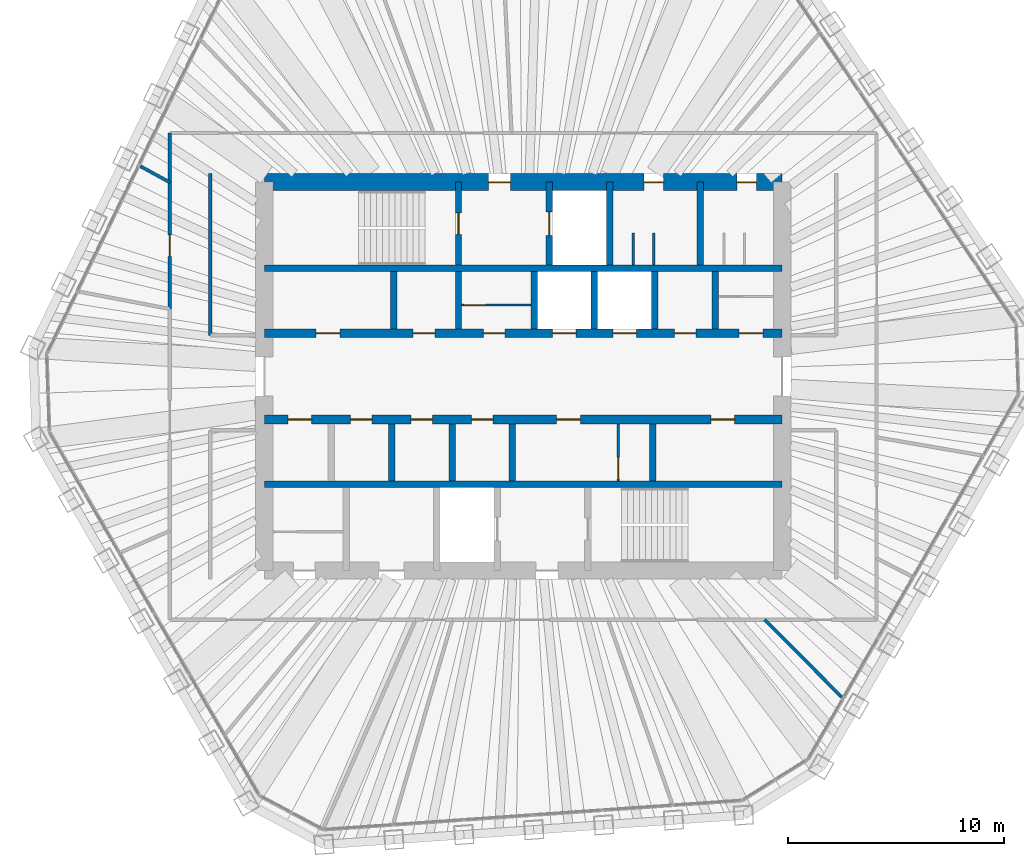
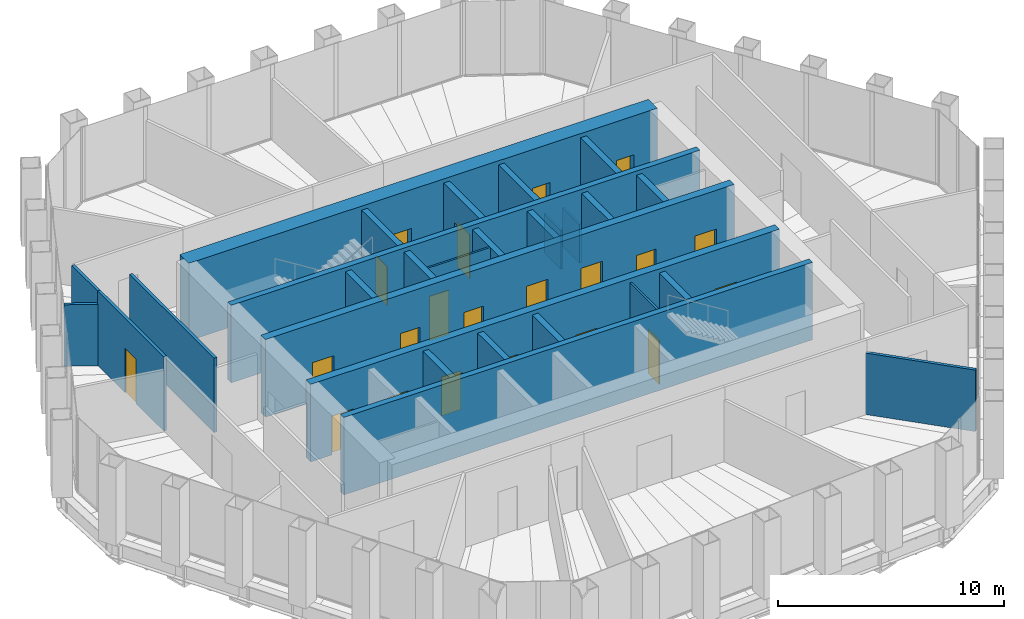
# One storey, part 12 of 14: 28 walls, 21 doors, 21 openings.
"""IFC4 building model written with IfcOpenShell, lengths in metres."""

from ifc_helpers import new_model, si_unit, direction, frame, frame_2d, origin, place, context, subcontext, project, spatial, rectangle, extrude, material, layer, layer_set, type_object, element, fill, save


model = new_model("IFC4")

# Units and contexts
model_context = context("Model", 3, precision=1e-05, world=origin(), true_north=direction((0.0, 1.0)))
body_context = subcontext(model_context, "Body", "Model", "MODEL_VIEW")
ifc_project = project(units=[si_unit("LENGTHUNIT", "METRE"), si_unit("AREAUNIT", "SQUARE_METRE"), si_unit("VOLUMEUNIT", "CUBIC_METRE"), si_unit("PLANEANGLEUNIT", "RADIAN"), si_unit("MASSUNIT", "GRAM", prefix="KILO")], contexts=[model_context])

# Site, building, storey
site_placement = place(None, origin())
site = spatial("IfcSite", under=ifc_project, at=site_placement, CompositionType="ELEMENT")
building_placement = place(site_placement, origin())
building = spatial("IfcBuilding", under=site, at=building_placement, Name="Qingtian Harvest Tower", CompositionType="ELEMENT")
storey_placement = place(building_placement, frame((0.0, 0.0, 304.0)))
storey = spatial("IfcBuildingStorey", under=building, at=storey_placement, Name="L67", CompositionType="ELEMENT", Elevation=304.0)

# Walls
ifc_material_1 = material(Name="Concrete fc' 70 MPa", Category="concrete")
ifc_layer_1 = layer(ifc_material_1, 0.300048828125)
ifc_layer_set_1 = layer_set([ifc_layer_1], Name="Core inner wall RC5 300")
wall_type_1 = type_object("IfcWallType", Name="Core inner wall RC5 300", PredefinedType="SHEAR", material=ifc_layer_set_1)
for number, where, z_axis, x_axis, name in (
    (1, (-12.0, 5.0, 0.0), (0.0, 0.0, 1.0), (1.0, 0.0, 0.0), "Core wall IN5 L67"),
    (2, (-12.0, -5.0, 0.0), (0.0, 0.0, 1.0), (1.0, 0.0, 0.0), "Core wall IS5 L67"),
):
    element("IfcWall", number, at=place(storey_placement, frame(where, z_axis=z_axis, x_axis=x_axis)), inside=storey, type_object=wall_type_1, Name=name, PredefinedType="SHEAR", context=body_context, shape_type="SweptSolid", body=[
        extrude(rectangle(XDim=24.0, YDim=0.300048828125, at=frame_2d((12.0, 0.0))), origin(), (0.0, 0.0, 1.0), 4.199951171875),
    ])

# Wall, openings, doors
ifc_material_2 = material(Name="Concrete fc' 70 MPa", Category="concrete")
ifc_layer_2 = layer(ifc_material_2, 0.39990234375)
ifc_layer_set_2 = layer_set([ifc_layer_2], Name="Core inner web RC6 400")
wall_type_2 = type_object("IfcWallType", Name="Core inner web RC6 400", PredefinedType="SHEAR", material=ifc_layer_set_2)
wall_1_placement = place(storey_placement, frame((-12.0, 2.0, 0.0), z_axis=(0.0, 0.0, 1.0), x_axis=(1.0, 0.0, 0.0)))
wall_1 = element("IfcWall", 3, at=wall_1_placement, inside=storey, type_object=wall_type_2, Name="Core wall IN2 L67", PredefinedType="SHEAR", context=body_context, shape_type="SweptSolid", body=[
    extrude(rectangle(XDim=24.0, YDim=0.39990234375, at=frame_2d((12.0, 0.0))), origin(), (0.0, 0.0, 1.0), 4.199951171875),
])
opening_1_placement = place(wall_1_placement, frame((2.39990234375, 0.0, 0.0)))
opening_1 = element("IfcOpeningElement", 4, at=opening_1_placement, cuts=wall_1, Name="Opening FD4", PredefinedType="OPENING", context=body_context, shape_type="SweptSolid", body=[
    extrude(rectangle(XDim=1.10009765625, YDim=2.10009765625, at=frame_2d((0.550048828125, 1.050048828125))), frame((0.0, 0.2099609375, 0.0), z_axis=(0.0, -1.0, 0.0), x_axis=(1.0, 0.0, 0.0)), (0.0, 0.0, 1.0), 0.419921875),
])
opening_2_placement = place(wall_1_placement, frame((22.0, 0.0, 0.0)))
opening_2 = element("IfcOpeningElement", 5, at=opening_2_placement, cuts=wall_1, Name="Opening FD4", PredefinedType="OPENING", context=body_context, shape_type="SweptSolid", body=[
    extrude(rectangle(XDim=1.10009765625, YDim=2.10009765625, at=frame_2d((0.550048828125, 1.050048828125))), frame((0.0, 0.2099609375, 0.0), z_axis=(0.0, -1.0, 0.0), x_axis=(1.0, 0.0, 0.0)), (0.0, 0.0, 1.0), 0.419921875),
])
opening_3_placement = place(wall_1_placement, frame((10.14990234375, 0.0, 0.0)))
opening_3 = element("IfcOpeningElement", 6, at=opening_3_placement, cuts=wall_1, Name="Opening FD1", PredefinedType="OPENING", context=body_context, shape_type="SweptSolid", body=[
    extrude(rectangle(XDim=1.0, YDim=2.10009765625, at=frame_2d((0.5, 1.050048828125))), frame((0.0, 0.2099609375, 0.0), z_axis=(0.0, -1.0, 0.0), x_axis=(1.0, 0.0, 0.0)), (0.0, 0.0, 1.0), 0.419921875),
])
opening_4_placement = place(wall_1_placement, frame((6.89990234375, 0.0, 0.0)))
opening_4 = element("IfcOpeningElement", 7, at=opening_4_placement, cuts=wall_1, Name="Opening FD1", PredefinedType="OPENING", context=body_context, shape_type="SweptSolid", body=[
    extrude(rectangle(XDim=1.0, YDim=2.10009765625, at=frame_2d((0.5, 1.050048828125))), frame((0.0, 0.2099609375, 0.0), z_axis=(0.0, -1.0, 0.0), x_axis=(1.0, 0.0, 0.0)), (0.0, 0.0, 1.0), 0.419921875),
])
opening_5_placement = place(wall_1_placement, frame((13.35009765625, 0.0, 0.0)))
opening_5 = element("IfcOpeningElement", 8, at=opening_5_placement, cuts=wall_1, Name="Opening LD1", PredefinedType="OPENING", context=body_context, shape_type="SweptSolid", body=[
    extrude(rectangle(XDim=1.10009765625, YDim=2.39990234375, at=frame_2d((0.550048828125, 1.199951171875))), frame((0.0, 0.2099609375, 0.0), z_axis=(0.0, -1.0, 0.0), x_axis=(1.0, 0.0, 0.0)), (0.0, 0.0, 1.0), 0.419921875),
])
opening_6_placement = place(wall_1_placement, frame((16.14990234375, 0.0, 0.0)))
opening_6 = element("IfcOpeningElement", 9, at=opening_6_placement, cuts=wall_1, Name="Opening LD1", PredefinedType="OPENING", context=body_context, shape_type="SweptSolid", body=[
    extrude(rectangle(XDim=1.10009765625, YDim=2.39990234375, at=frame_2d((0.550048828125, 1.199951171875))), frame((0.0, 0.2099609375, 0.0), z_axis=(0.0, -1.0, 0.0), x_axis=(1.0, 0.0, 0.0)), (0.0, 0.0, 1.0), 0.419921875),
])
opening_7_placement = place(wall_1_placement, frame((19.0, 0.0, 0.0)))
opening_7 = element("IfcOpeningElement", 10, at=opening_7_placement, cuts=wall_1, Name="Opening FD1", PredefinedType="OPENING", context=body_context, shape_type="SweptSolid", body=[
    extrude(rectangle(XDim=1.0, YDim=2.10009765625, at=frame_2d((0.5, 1.050048828125))), frame((0.0, 0.2099609375, 0.0), z_axis=(0.0, -1.0, 0.0), x_axis=(1.0, 0.0, 0.0)), (0.0, 0.0, 1.0), 0.419921875),
])
ifc_material_3 = material(Name="Steel-faced door leaf", Category="steel")
door_type_1 = type_object("IfcDoorType", Name="Fire door FD1 single 1 HR", OperationType="SINGLE_SWING_LEFT", PredefinedType="DOOR", material=ifc_material_3)
door_1_placement = place(opening_3_placement, origin())
door_1 = element("IfcDoor", 11, at=door_1_placement, inside=storey, type_object=door_type_1, Name="STA door L67", OperationType="SINGLE_SWING_LEFT", OverallHeight=2.10009765625, OverallWidth=1.0, PredefinedType="DOOR", context=body_context, shape_type="SweptSolid", body=[
    extrude(rectangle(XDim=1.0, YDim=2.10009765625, at=frame_2d((0.5, 1.050048828125))), frame((0.0, 0.02490234375, 0.0), z_axis=(0.0, -1.0, 0.0), x_axis=(1.0, 0.0, 0.0)), (0.0, 0.0, 1.0), 0.050048828125),
])
fill(opening_3, door_1)
door_2_placement = place(opening_4_placement, origin())
door_2 = element("IfcDoor", 12, at=door_2_placement, inside=storey, type_object=door_type_1, Name="Store door L67", OperationType="SINGLE_SWING_RIGHT", OverallHeight=2.10009765625, OverallWidth=1.0, PredefinedType="DOOR", context=body_context, shape_type="SweptSolid", body=[
    extrude(rectangle(XDim=1.0, YDim=2.10009765625, at=frame_2d((0.5, 1.050048828125))), frame((0.0, 0.02490234375, 0.0), z_axis=(0.0, -1.0, 0.0), x_axis=(1.0, 0.0, 0.0)), (0.0, 0.0, 1.0), 0.050048828125),
])
fill(opening_4, door_2)
door_3_placement = place(opening_7_placement, origin())
door_3 = element("IfcDoor", 13, at=door_3_placement, inside=storey, type_object=door_type_1, Name="Tool store door L67", OperationType="SINGLE_SWING_RIGHT", OverallHeight=2.10009765625, OverallWidth=1.0, PredefinedType="DOOR", context=body_context, shape_type="SweptSolid", body=[
    extrude(rectangle(XDim=1.0, YDim=2.10009765625, at=frame_2d((0.5, 1.050048828125))), frame((0.0, 0.02490234375, 0.0), z_axis=(0.0, -1.0, 0.0), x_axis=(1.0, 0.0, 0.0)), (0.0, 0.0, 1.0), 0.050048828125),
])
fill(opening_7, door_3)
ifc_material_4 = material(Name="Steel-faced door leaf", Category="steel")
door_type_2 = type_object("IfcDoorType", Name="Fire door FD4 single 2 HR", OperationType="SINGLE_SWING_LEFT", PredefinedType="DOOR", material=ifc_material_4)
door_4_placement = place(opening_1_placement, origin())
door_4 = element("IfcDoor", 14, at=door_4_placement, inside=storey, type_object=door_type_2, Name="RA door L67", OperationType="SINGLE_SWING_LEFT", OverallHeight=2.10009765625, OverallWidth=1.10009765625, PredefinedType="DOOR", context=body_context, shape_type="SweptSolid", body=[
    extrude(rectangle(XDim=1.10009765625, YDim=2.10009765625, at=frame_2d((0.550048828125, 1.050048828125))), frame((0.0, 0.02490234375, 0.0), z_axis=(0.0, -1.0, 0.0), x_axis=(1.0, 0.0, 0.0)), (0.0, 0.0, 1.0), 0.050048828125),
])
fill(opening_1, door_4)
door_5_placement = place(opening_2_placement, origin())
door_5 = element("IfcDoor", 15, at=door_5_placement, inside=storey, type_object=door_type_2, Name="AHU door L67", OperationType="SINGLE_SWING_RIGHT", OverallHeight=2.10009765625, OverallWidth=1.10009765625, PredefinedType="DOOR", context=body_context, shape_type="SweptSolid", body=[
    extrude(rectangle(XDim=1.10009765625, YDim=2.10009765625, at=frame_2d((0.550048828125, 1.050048828125))), frame((0.0, 0.02490234375, 0.0), z_axis=(0.0, -1.0, 0.0), x_axis=(1.0, 0.0, 0.0)), (0.0, 0.0, 1.0), 0.050048828125),
])
fill(opening_2, door_5)
ifc_material_5 = material(Name="Stainless steel lift landing door", Category="steel")
door_type_3 = type_object("IfcDoorType", Name="Lift landing door LD1 1 HR", OperationType="DOUBLE_DOOR_SLIDING", PredefinedType="DOOR", material=ifc_material_5)
door_6_placement = place(opening_5_placement, origin())
door_6 = element("IfcDoor", 16, at=door_6_placement, inside=storey, type_object=door_type_3, Name="PLD1 landing door L67", OperationType="DOUBLE_DOOR_SLIDING", OverallHeight=2.39990234375, OverallWidth=1.10009765625, PredefinedType="DOOR", context=body_context, shape_type="SweptSolid", body=[
    extrude(rectangle(XDim=1.10009765625, YDim=2.39990234375, at=frame_2d((0.550048828125, 1.199951171875))), frame((0.0, 0.02490234375, 0.0), z_axis=(0.0, -1.0, 0.0), x_axis=(1.0, 0.0, 0.0)), (0.0, 0.0, 1.0), 0.050048828125),
])
fill(opening_5, door_6)
door_7_placement = place(opening_6_placement, origin())
door_7 = element("IfcDoor", 17, at=door_7_placement, inside=storey, type_object=door_type_3, Name="PLD2 landing door L67", OperationType="DOUBLE_DOOR_SLIDING", OverallHeight=2.39990234375, OverallWidth=1.10009765625, PredefinedType="DOOR", context=body_context, shape_type="SweptSolid", body=[
    extrude(rectangle(XDim=1.10009765625, YDim=2.39990234375, at=frame_2d((0.550048828125, 1.199951171875))), frame((0.0, 0.02490234375, 0.0), z_axis=(0.0, -1.0, 0.0), x_axis=(1.0, 0.0, 0.0)), (0.0, 0.0, 1.0), 0.050048828125),
])
fill(opening_6, door_7)

wall_2_placement = place(storey_placement, frame((-12.0, -2.0, 0.0), z_axis=(0.0, 0.0, 1.0), x_axis=(1.0, 0.0, 0.0)))
wall_2 = element("IfcWall", 18, at=wall_2_placement, inside=storey, type_object=wall_type_2, Name="Core wall IS2 L67", PredefinedType="SHEAR", context=body_context, shape_type="SweptSolid", body=[
    extrude(rectangle(XDim=24.0, YDim=0.39990234375, at=frame_2d((12.0, 0.0))), origin(), (0.0, 0.0, 1.0), 4.199951171875),
])
opening_8_placement = place(wall_2_placement, frame((1.10009765625, 0.0, 0.0)))
opening_8 = element("IfcOpeningElement", 19, at=opening_8_placement, cuts=wall_2, Name="Opening FD4", PredefinedType="OPENING", context=body_context, shape_type="SweptSolid", body=[
    extrude(rectangle(XDim=1.10009765625, YDim=2.10009765625, at=frame_2d((0.550048828125, 1.050048828125))), frame((0.0, 0.2099609375, 0.0), z_axis=(0.0, -1.0, 0.0), x_axis=(1.0, 0.0, 0.0)), (0.0, 0.0, 1.0), 0.419921875),
])
opening_9_placement = place(wall_2_placement, frame((13.550048828125, 0.0, 0.0)))
opening_9 = element("IfcOpeningElement", 20, at=opening_9_placement, cuts=wall_2, Name="Opening FD4", PredefinedType="OPENING", context=body_context, shape_type="SweptSolid", body=[
    extrude(rectangle(XDim=1.10009765625, YDim=2.10009765625, at=frame_2d((0.550048828125, 1.050048828125))), frame((0.0, 0.2099609375, 0.0), z_axis=(0.0, -1.0, 0.0), x_axis=(1.0, 0.0, 0.0)), (0.0, 0.0, 1.0), 0.419921875),
])
opening_10_placement = place(wall_2_placement, frame((20.699951171875, 0.0, 0.0)))
opening_10 = element("IfcOpeningElement", 21, at=opening_10_placement, cuts=wall_2, Name="Opening FD4", PredefinedType="OPENING", context=body_context, shape_type="SweptSolid", body=[
    extrude(rectangle(XDim=1.10009765625, YDim=2.10009765625, at=frame_2d((0.550048828125, 1.050048828125))), frame((0.0, 0.2099609375, 0.0), z_axis=(0.0, -1.0, 0.0), x_axis=(1.0, 0.0, 0.0)), (0.0, 0.0, 1.0), 0.419921875),
])
opening_11_placement = place(wall_2_placement, frame((4.0, 0.0, 0.0)))
opening_11 = element("IfcOpeningElement", 22, at=opening_11_placement, cuts=wall_2, Name="Opening FD1", PredefinedType="OPENING", context=body_context, shape_type="SweptSolid", body=[
    extrude(rectangle(XDim=1.0, YDim=2.10009765625, at=frame_2d((0.5, 1.050048828125))), frame((0.0, 0.2099609375, 0.0), z_axis=(0.0, -1.0, 0.0), x_axis=(1.0, 0.0, 0.0)), (0.0, 0.0, 1.0), 0.419921875),
])
opening_12_placement = place(wall_2_placement, frame((6.800048828125, 0.0, 0.0)))
opening_12 = element("IfcOpeningElement", 23, at=opening_12_placement, cuts=wall_2, Name="Opening FD1", PredefinedType="OPENING", context=body_context, shape_type="SweptSolid", body=[
    extrude(rectangle(XDim=1.0, YDim=2.10009765625, at=frame_2d((0.5, 1.050048828125))), frame((0.0, 0.2099609375, 0.0), z_axis=(0.0, -1.0, 0.0), x_axis=(1.0, 0.0, 0.0)), (0.0, 0.0, 1.0), 0.419921875),
])
opening_13_placement = place(wall_2_placement, frame((9.60009765625, 0.0, 0.0)))
opening_13 = element("IfcOpeningElement", 24, at=opening_13_placement, cuts=wall_2, Name="Opening FD1", PredefinedType="OPENING", context=body_context, shape_type="SweptSolid", body=[
    extrude(rectangle(XDim=1.0, YDim=2.10009765625, at=frame_2d((0.5, 1.050048828125))), frame((0.0, 0.2099609375, 0.0), z_axis=(0.0, -1.0, 0.0), x_axis=(1.0, 0.0, 0.0)), (0.0, 0.0, 1.0), 0.419921875),
])
door_8_placement = place(opening_11_placement, origin())
door_8 = element("IfcDoor", 25, at=door_8_placement, inside=storey, type_object=door_type_1, Name="IT room door L67", OperationType="SINGLE_SWING_RIGHT", OverallHeight=2.10009765625, OverallWidth=1.0, PredefinedType="DOOR", context=body_context, shape_type="SweptSolid", body=[
    extrude(rectangle(XDim=1.0, YDim=2.10009765625, at=frame_2d((0.5, 1.050048828125))), frame((0.0, 0.02490234375, 0.0), z_axis=(0.0, -1.0, 0.0), x_axis=(1.0, 0.0, 0.0)), (0.0, 0.0, 1.0), 0.050048828125),
])
fill(opening_11, door_8)
door_9_placement = place(opening_12_placement, origin())
door_9 = element("IfcDoor", 26, at=door_9_placement, inside=storey, type_object=door_type_1, Name="Store door L67", OperationType="SINGLE_SWING_RIGHT", OverallHeight=2.10009765625, OverallWidth=1.0, PredefinedType="DOOR", context=body_context, shape_type="SweptSolid", body=[
    extrude(rectangle(XDim=1.0, YDim=2.10009765625, at=frame_2d((0.5, 1.050048828125))), frame((0.0, 0.02490234375, 0.0), z_axis=(0.0, -1.0, 0.0), x_axis=(1.0, 0.0, 0.0)), (0.0, 0.0, 1.0), 0.050048828125),
])
fill(opening_12, door_9)
door_10_placement = place(opening_13_placement, origin())
door_10 = element("IfcDoor", 27, at=door_10_placement, inside=storey, type_object=door_type_1, Name="Housekeeping store door L67", OperationType="SINGLE_SWING_RIGHT", OverallHeight=2.10009765625, OverallWidth=1.0, PredefinedType="DOOR", context=body_context, shape_type="SweptSolid", body=[
    extrude(rectangle(XDim=1.0, YDim=2.10009765625, at=frame_2d((0.5, 1.050048828125))), frame((0.0, 0.02490234375, 0.0), z_axis=(0.0, -1.0, 0.0), x_axis=(1.0, 0.0, 0.0)), (0.0, 0.0, 1.0), 0.050048828125),
])
fill(opening_13, door_10)
door_11_placement = place(opening_8_placement, origin())
door_11 = element("IfcDoor", 28, at=door_11_placement, inside=storey, type_object=door_type_2, Name="RB door L67", OperationType="SINGLE_SWING_LEFT", OverallHeight=2.10009765625, OverallWidth=1.10009765625, PredefinedType="DOOR", context=body_context, shape_type="SweptSolid", body=[
    extrude(rectangle(XDim=1.10009765625, YDim=2.10009765625, at=frame_2d((0.550048828125, 1.050048828125))), frame((0.0, 0.02490234375, 0.0), z_axis=(0.0, -1.0, 0.0), x_axis=(1.0, 0.0, 0.0)), (0.0, 0.0, 1.0), 0.050048828125),
])
fill(opening_8, door_11)
door_12_placement = place(opening_9_placement, origin())
door_12 = element("IfcDoor", 29, at=door_12_placement, inside=storey, type_object=door_type_2, Name="ELEC door L67", OperationType="SINGLE_SWING_LEFT", OverallHeight=2.10009765625, OverallWidth=1.10009765625, PredefinedType="DOOR", context=body_context, shape_type="SweptSolid", body=[
    extrude(rectangle(XDim=1.10009765625, YDim=2.10009765625, at=frame_2d((0.550048828125, 1.050048828125))), frame((0.0, 0.02490234375, 0.0), z_axis=(0.0, -1.0, 0.0), x_axis=(1.0, 0.0, 0.0)), (0.0, 0.0, 1.0), 0.050048828125),
])
fill(opening_9, door_12)
door_13_placement = place(opening_10_placement, origin())
door_13 = element("IfcDoor", 30, at=door_13_placement, inside=storey, type_object=door_type_2, Name="DUCT door L67", OperationType="SINGLE_SWING_RIGHT", OverallHeight=2.10009765625, OverallWidth=1.10009765625, PredefinedType="DOOR", context=body_context, shape_type="SweptSolid", body=[
    extrude(rectangle(XDim=1.10009765625, YDim=2.10009765625, at=frame_2d((0.550048828125, 1.050048828125))), frame((0.0, 0.02490234375, 0.0), z_axis=(0.0, -1.0, 0.0), x_axis=(1.0, 0.0, 0.0)), (0.0, 0.0, 1.0), 0.050048828125),
])
fill(opening_10, door_13)

# Wall, opening, door
ifc_material_6 = material(Name="Precast concrete shaft panel", Category="concrete")
ifc_layer_3 = layer(ifc_material_6, 0.300048828125)
ifc_layer_set_3 = layer_set([ifc_layer_3], Name="Core shaft partition SW1 300")
wall_type_3 = type_object("IfcWallType", Name="Core shaft partition SW1 300", PredefinedType="PARTITIONING", material=ifc_layer_set_3)
wall_3_placement = place(storey_placement, frame((-3.0, 5.14990234375, 0.0), z_axis=(0.0, 0.0, 1.0), x_axis=(0.0, 1.0, 0.0)))
wall_3 = element("IfcWall", 31, at=wall_3_placement, inside=storey, type_object=wall_type_3, Name="Core shaft partition XN1 L67", PredefinedType="PARTITIONING", context=body_context, shape_type="SweptSolid", body=[
    extrude(rectangle(XDim=3.85009765625, YDim=0.300048828125, at=frame_2d((1.925048828125, 0.0))), origin(), (0.0, 0.0, 1.0), 3.97998046875),
])
opening_14_placement = place(wall_3_placement, frame((1.425048828125, 0.0, 0.0)))
opening_14 = element("IfcOpeningElement", 32, at=opening_14_placement, cuts=wall_3, Name="Opening FD1", PredefinedType="OPENING", context=body_context, shape_type="SweptSolid", body=[
    extrude(rectangle(XDim=1.0, YDim=2.10009765625, at=frame_2d((0.5, 1.050048828125))), frame((0.0, 0.159912109375, 0.0), z_axis=(0.0, -1.0, 0.0), x_axis=(1.0, 0.0, 0.0)), (0.0, 0.0, 1.0), 0.320068359375),
])
door_14_placement = place(opening_14_placement, origin())
door_14 = element("IfcDoor", 33, at=door_14_placement, inside=storey, type_object=door_type_1, Name="S1 door L67", OperationType="SINGLE_SWING_RIGHT", OverallHeight=2.10009765625, OverallWidth=1.0, PredefinedType="DOOR", context=body_context, shape_type="SweptSolid", body=[
    extrude(rectangle(XDim=1.0, YDim=2.10009765625, at=frame_2d((0.5, 1.050048828125))), frame((0.0, 0.02490234375, 0.0), z_axis=(0.0, -1.0, 0.0), x_axis=(1.0, 0.0, 0.0)), (0.0, 0.0, 1.0), 0.050048828125),
])
fill(opening_14, door_14)

wall_4_placement = place(storey_placement, frame((1.199951171875, 5.14990234375, 0.0), z_axis=(0.0, 0.0, 1.0), x_axis=(0.0, 1.0, 0.0)))
wall_4 = element("IfcWall", 34, at=wall_4_placement, inside=storey, type_object=wall_type_3, Name="Core shaft partition XN2 L67", PredefinedType="PARTITIONING", context=body_context, shape_type="SweptSolid", body=[
    extrude(rectangle(XDim=3.85009765625, YDim=0.300048828125, at=frame_2d((1.925048828125, 0.0))), origin(), (0.0, 0.0, 1.0), 3.97998046875),
])
opening_15_placement = place(wall_4_placement, frame((1.375, 0.0, 0.0)))
opening_15 = element("IfcOpeningElement", 35, at=opening_15_placement, cuts=wall_4, Name="Opening LD1", PredefinedType="OPENING", context=body_context, shape_type="SweptSolid", body=[
    extrude(rectangle(XDim=1.10009765625, YDim=2.39990234375, at=frame_2d((0.550048828125, 1.199951171875))), frame((0.0, 0.159912109375, 0.0), z_axis=(0.0, -1.0, 0.0), x_axis=(1.0, 0.0, 0.0)), (0.0, 0.0, 1.0), 0.320068359375),
])
door_15_placement = place(opening_15_placement, origin())
door_15 = element("IfcDoor", 36, at=door_15_placement, inside=storey, type_object=door_type_3, Name="FL1 landing door L67", OperationType="DOUBLE_DOOR_SLIDING", OverallHeight=2.39990234375, OverallWidth=1.10009765625, PredefinedType="DOOR", context=body_context, shape_type="SweptSolid", body=[
    extrude(rectangle(XDim=1.10009765625, YDim=2.39990234375, at=frame_2d((0.550048828125, 1.199951171875))), frame((0.0, 0.02490234375, 0.0), z_axis=(0.0, -1.0, 0.0), x_axis=(1.0, 0.0, 0.0)), (0.0, 0.0, 1.0), 0.050048828125),
])
fill(opening_15, door_15)

# Walls
for number, where, z_axis, x_axis, name in (
    (37, (4.0, 5.14990234375, 0.0), (0.0, 0.0, 1.0), (0.0, 1.0, 0.0), "Core shaft partition XN3 L67"),
    (38, (8.199951171875, 5.14990234375, 0.0), (0.0, 0.0, 1.0), (0.0, 1.0, 0.0), "Core shaft partition XN4 L67"),
):
    element("IfcWall", number, at=place(storey_placement, frame(where, z_axis=z_axis, x_axis=x_axis)), inside=storey, type_object=wall_type_3, Name=name, PredefinedType="PARTITIONING", context=body_context, shape_type="SweptSolid", body=[
        extrude(rectangle(XDim=3.85009765625, YDim=0.300048828125, at=frame_2d((1.925048828125, 0.0))), origin(), (0.0, 0.0, 1.0), 3.97998046875),
    ])
for number, where, z_axis, x_axis, name in (
    (39, (-6.0, 2.199951171875, 0.0), (0.0, 0.0, 1.0), (0.0, 1.0, 0.0), "Core shaft partition XA1 L67"),
    (40, (-3.0, 2.199951171875, 0.0), (0.0, 0.0, 1.0), (0.0, 1.0, 0.0), "Core shaft partition XA2 L67"),
    (41, (0.5, 2.199951171875, 0.0), (0.0, 0.0, 1.0), (0.0, 1.0, 0.0), "Core shaft partition XA3 L67"),
    (42, (3.300048828125, 2.199951171875, 0.0), (0.0, 0.0, 1.0), (0.0, 1.0, 0.0), "Core shaft partition XA4 L67"),
    (43, (6.10009765625, 2.199951171875, 0.0), (0.0, 0.0, 1.0), (0.0, 1.0, 0.0), "Core shaft partition XA5 L67"),
    (44, (8.89990234375, 2.199951171875, 0.0), (0.0, 0.0, 1.0), (0.0, 1.0, 0.0), "Core shaft partition XA6 L67"),
    (45, (-6.10009765625, -4.85009765625, 0.0), (0.0, 0.0, 1.0), (0.0, 1.0, 0.0), "Core shaft partition XB2 L67"),
    (46, (-3.300048828125, -4.85009765625, 0.0), (0.0, 0.0, 1.0), (0.0, 1.0, 0.0), "Core shaft partition XB3 L67"),
    (47, (-0.5, -4.85009765625, 0.0), (0.0, 0.0, 1.0), (0.0, 1.0, 0.0), "Core shaft partition XB4 L67"),
    (48, (6.0, -4.85009765625, 0.0), (0.0, 0.0, 1.0), (0.0, 1.0, 0.0), "Core shaft partition XB5 L67"),
):
    element("IfcWall", number, at=place(storey_placement, frame(where, z_axis=z_axis, x_axis=x_axis)), inside=storey, type_object=wall_type_3, Name=name, PredefinedType="PARTITIONING", context=body_context, shape_type="SweptSolid", body=[
        extrude(rectangle(XDim=2.650146484375, YDim=0.300048828125, at=frame_2d((1.3251953125, 0.0))), origin(), (0.0, 0.0, 1.0), 3.97998046875),
    ])

# Wall, openings, doors
ifc_material_7 = material(Name="Concrete fc' 70 MPa", Category="concrete")
ifc_layer_4 = layer(ifc_material_7, 0.800048828125)
ifc_layer_set_4 = layer_set([ifc_layer_4], Name="Core wall RC4 800")
wall_type_4 = type_object("IfcWallType", Name="Core wall RC4 800", PredefinedType="SHEAR", material=ifc_layer_set_4)
wall_5_placement = place(storey_placement, frame((-12.0, 9.0, 0.0), z_axis=(0.0, 0.0, 1.0), x_axis=(1.0, 0.0, 0.0)))
wall_5 = element("IfcWall", 49, at=wall_5_placement, inside=storey, type_object=wall_type_4, Name="Core wall CN L67", PredefinedType="SHEAR", context=body_context, shape_type="SweptSolid", body=[
    extrude(rectangle(XDim=24.0, YDim=0.800048828125, at=frame_2d((12.0, 0.0))), origin(), (0.0, 0.0, 1.0), 4.199951171875),
])
opening_16_placement = place(wall_5_placement, frame((10.39990234375, 0.0, 0.0)))
opening_16 = element("IfcOpeningElement", 50, at=opening_16_placement, cuts=wall_5, Name="Opening FD1", PredefinedType="OPENING", context=body_context, shape_type="SweptSolid", body=[
    extrude(rectangle(XDim=1.0, YDim=2.10009765625, at=frame_2d((0.5, 1.050048828125))), frame((0.0, 0.409912109375, 0.0), z_axis=(0.0, -1.0, 0.0), x_axis=(1.0, 0.0, 0.0)), (0.0, 0.0, 1.0), 0.820068359375),
])
opening_17_placement = place(wall_5_placement, frame((17.60009765625, 0.0, 0.0)))
opening_17 = element("IfcOpeningElement", 51, at=opening_17_placement, cuts=wall_5, Name="Opening D1", PredefinedType="OPENING", context=body_context, shape_type="SweptSolid", body=[
    extrude(rectangle(XDim=0.89990234375, YDim=2.10009765625, at=frame_2d((0.449951171875, 1.050048828125))), frame((0.0, 0.409912109375, 0.0), z_axis=(0.0, -1.0, 0.0), x_axis=(1.0, 0.0, 0.0)), (0.0, 0.0, 1.0), 0.820068359375),
])
opening_18_placement = place(wall_5_placement, frame((21.89990234375, 0.0, 0.0)))
opening_18 = element("IfcOpeningElement", 52, at=opening_18_placement, cuts=wall_5, Name="Opening D1", PredefinedType="OPENING", context=body_context, shape_type="SweptSolid", body=[
    extrude(rectangle(XDim=0.89990234375, YDim=2.10009765625, at=frame_2d((0.449951171875, 1.050048828125))), frame((0.0, 0.409912109375, 0.0), z_axis=(0.0, -1.0, 0.0), x_axis=(1.0, 0.0, 0.0)), (0.0, 0.0, 1.0), 0.820068359375),
])
door_16_placement = place(opening_16_placement, origin())
door_16 = element("IfcDoor", 53, at=door_16_placement, inside=storey, type_object=door_type_1, Name="V1 door L67", OperationType="SINGLE_SWING_LEFT", OverallHeight=2.10009765625, OverallWidth=1.0, PredefinedType="DOOR", context=body_context, shape_type="SweptSolid", body=[
    extrude(rectangle(XDim=1.0, YDim=2.10009765625, at=frame_2d((0.5, 1.050048828125))), frame((0.0, 0.02490234375, 0.0), z_axis=(0.0, -1.0, 0.0), x_axis=(1.0, 0.0, 0.0)), (0.0, 0.0, 1.0), 0.050048828125),
])
fill(opening_16, door_16)
ifc_material_8 = material(Name="Laminated timber door leaf", Category="wood")
door_type_4 = type_object("IfcDoorType", Name="Toilet door D1 single", OperationType="SINGLE_SWING_LEFT", PredefinedType="DOOR", material=ifc_material_8)
door_17_placement = place(opening_17_placement, origin())
door_17 = element("IfcDoor", 54, at=door_17_placement, inside=storey, type_object=door_type_4, Name="WCM door L67", OperationType="SINGLE_SWING_LEFT", OverallHeight=2.10009765625, OverallWidth=0.89990234375, PredefinedType="DOOR", context=body_context, shape_type="SweptSolid", body=[
    extrude(rectangle(XDim=0.89990234375, YDim=2.10009765625, at=frame_2d((0.449951171875, 1.050048828125))), frame((0.0, 0.02490234375, 0.0), z_axis=(0.0, -1.0, 0.0), x_axis=(1.0, 0.0, 0.0)), (0.0, 0.0, 1.0), 0.050048828125),
])
fill(opening_17, door_17)
door_18_placement = place(opening_18_placement, origin())
door_18 = element("IfcDoor", 55, at=door_18_placement, inside=storey, type_object=door_type_4, Name="WCF door L67", OperationType="SINGLE_SWING_LEFT", OverallHeight=2.10009765625, OverallWidth=0.89990234375, PredefinedType="DOOR", context=body_context, shape_type="SweptSolid", body=[
    extrude(rectangle(XDim=0.89990234375, YDim=2.10009765625, at=frame_2d((0.449951171875, 1.050048828125))), frame((0.0, 0.02490234375, 0.0), z_axis=(0.0, -1.0, 0.0), x_axis=(1.0, 0.0, 0.0)), (0.0, 0.0, 1.0), 0.050048828125),
])
fill(opening_18, door_18)

# Wall
ifc_material_9 = material(Name="Gypsum board on steel studs", Category="steel")
ifc_layer_5 = layer(ifc_material_9, 0.14990234375)
ifc_layer_set_5 = layer_set([ifc_layer_5], Name="Partition PT1 150")
wall_type_5 = type_object("IfcWallType", Name="Partition PT1 150", PredefinedType="PARTITIONING", material=ifc_layer_set_5)
wall_6_placement = place(storey_placement, frame((14.7509765625, -14.857666015625, 0.0), z_axis=(0.0, 0.0, 1.0), x_axis=(-0.704539120613, 0.709665151692, 0.0)))
element("IfcWall", 56, at=wall_6_placement, inside=storey, type_object=wall_type_5, Name="Focus room wall L67", PredefinedType="PARTITIONING", context=body_context, shape_type="SweptSolid", body=[
    extrude(rectangle(XDim=5.048583984375, YDim=0.14990234375, at=frame_2d((2.5244140625, 0.0))), origin(), (0.0, 0.0, 1.0), 3.330078125),
])

# Wall, opening, door
wall_7_placement = place(storey_placement, frame((-16.375, 3.121826171875, 0.0), z_axis=(0.0, 0.0, 1.0), x_axis=(0.0, 1.0, 0.0)))
wall_7 = element("IfcWall", 57, at=wall_7_placement, inside=storey, type_object=wall_type_5, Name="Pantry wall L67", PredefinedType="PARTITIONING", context=body_context, shape_type="SweptSolid", body=[
    extrude(rectangle(XDim=5.864990234375, YDim=0.14990234375, at=frame_2d((2.9326171875, 0.0))), origin(), (0.0, 0.0, 1.0), 4.030029296875),
])
opening_19_placement = place(wall_7_placement, frame((2.4326171875, 0.0, 0.0)))
opening_19 = element("IfcOpeningElement", 58, at=opening_19_placement, cuts=wall_7, Name="Opening D2", PredefinedType="OPENING", context=body_context, shape_type="SweptSolid", body=[
    extrude(rectangle(XDim=1.0, YDim=2.39990234375, at=frame_2d((0.5, 1.199951171875))), frame((0.0, 0.0849609375, 0.0), z_axis=(0.0, -1.0, 0.0), x_axis=(1.0, 0.0, 0.0)), (0.0, 0.0, 1.0), 0.169921875),
])
ifc_material_10 = material(Name="Laminated timber door leaf", Category="wood")
door_type_5 = type_object("IfcDoorType", Name="Room door D2 single", OperationType="SINGLE_SWING_LEFT", PredefinedType="DOOR", material=ifc_material_10)
door_19_placement = place(opening_19_placement, origin())
door_19 = element("IfcDoor", 59, at=door_19_placement, inside=storey, type_object=door_type_5, Name="Pantry door L67", OperationType="SINGLE_SWING_RIGHT", OverallHeight=2.39990234375, OverallWidth=1.0, PredefinedType="DOOR", context=body_context, shape_type="SweptSolid", body=[
    extrude(rectangle(XDim=1.0, YDim=2.39990234375, at=frame_2d((0.5, 1.199951171875))), frame((0.0, 0.02490234375, 0.0), z_axis=(0.0, -1.0, 0.0), x_axis=(1.0, 0.0, 0.0)), (0.0, 0.0, 1.0), 0.050048828125),
])
fill(opening_19, door_19)

# Walls
wall_8_placement = place(storey_placement, frame((-17.72900390625, 9.72998046875, 0.0), z_axis=(0.0, 0.0, 1.0), x_axis=(0.876636074137, -0.48115402266, 0.0)))
element("IfcWall", 60, at=wall_8_placement, inside=storey, type_object=wall_type_5, Name="Meeting room wall L67", PredefinedType="PARTITIONING", context=body_context, shape_type="SweptSolid", body=[
    extrude(rectangle(XDim=1.54443359375, YDim=0.14990234375, at=frame_2d((0.772216796875, 0.0))), origin(), (0.0, 0.0, 1.0), 3.330078125),
])
wall_9_placement = place(storey_placement, frame((-16.375, 8.98681640625, 0.0), z_axis=(0.0, 0.0, 1.0), x_axis=(0.0, 1.0, 0.0)))
element("IfcWall", 61, at=wall_9_placement, inside=storey, type_object=wall_type_5, Name="Meeting room wall L67", PredefinedType="PARTITIONING", context=body_context, shape_type="SweptSolid", body=[
    extrude(rectangle(XDim=2.2880859375, YDim=0.14990234375, at=frame_2d((1.14404296875, 0.0))), origin(), (0.0, 0.0, 1.0), 4.030029296875),
])
wall_10_placement = place(storey_placement, frame((-14.5, 1.89990234375, 0.0), z_axis=(0.0, 0.0, 1.0), x_axis=(0.0, 1.0, 0.0)))
element("IfcWall", 62, at=wall_10_placement, inside=storey, type_object=wall_type_5, Name="Breakout space wall L67", PredefinedType="PARTITIONING", context=body_context, shape_type="SweptSolid", body=[
    extrude(rectangle(XDim=7.5, YDim=0.14990234375, at=frame_2d((3.75, 0.0))), origin(), (0.0, 0.0, 1.0), 4.030029296875),
])

# Wall, opening, door
ifc_material_11 = material(Name="Concrete block partition", Category="concrete")
ifc_layer_6 = layer(ifc_material_11, 0.10009765625)
ifc_layer_set_6 = layer_set([ifc_layer_6], Name="Store partition PT3 100")
wall_type_6 = type_object("IfcWallType", Name="Store partition PT3 100", PredefinedType="PARTITIONING", material=ifc_layer_set_6)
wall_11_placement = place(storey_placement, frame((-2.85009765625, 3.300048828125, 0.0), z_axis=(0.0, 0.0, 1.0), x_axis=(1.0, 0.0, 0.0)))
wall_11 = element("IfcWall", 63, at=wall_11_placement, inside=storey, type_object=wall_type_6, Name="Linen store wall L67", PredefinedType="PARTITIONING", context=body_context, shape_type="SweptSolid", body=[
    extrude(rectangle(XDim=3.2001953125, YDim=0.10009765625, at=frame_2d((1.60009765625, 0.0))), origin(), (0.0, 0.0, 1.0), 3.97998046875),
])
opening_20_placement = place(wall_11_placement, frame((0.10009765625, 0.0, 0.0)))
opening_20 = element("IfcOpeningElement", 64, at=opening_20_placement, cuts=wall_11, Name="Opening D2", PredefinedType="OPENING", context=body_context, shape_type="SweptSolid", body=[
    extrude(rectangle(XDim=1.0, YDim=2.39990234375, at=frame_2d((0.5, 1.199951171875))), frame((0.0, 0.06005859375, 0.0), z_axis=(0.0, -1.0, 0.0), x_axis=(1.0, 0.0, 0.0)), (0.0, 0.0, 1.0), 0.1201171875),
])
door_20_placement = place(opening_20_placement, origin())
door_20 = element("IfcDoor", 65, at=door_20_placement, inside=storey, type_object=door_type_5, Name="Linen store door L67", OperationType="SINGLE_SWING_LEFT", OverallHeight=2.39990234375, OverallWidth=1.0, PredefinedType="DOOR", context=body_context, shape_type="SweptSolid", body=[
    extrude(rectangle(XDim=1.0, YDim=2.39990234375, at=frame_2d((0.5, 1.199951171875))), frame((0.0, 0.02490234375, 0.0), z_axis=(0.0, -1.0, 0.0), x_axis=(1.0, 0.0, 0.0)), (0.0, 0.0, 1.0), 0.050048828125),
])
fill(opening_20, door_20)

wall_12_placement = place(storey_placement, frame((4.39990234375, -4.85009765625, 0.0), z_axis=(0.0, 0.0, 1.0), x_axis=(0.0, 1.0, 0.0)))
wall_12 = element("IfcWall", 66, at=wall_12_placement, inside=storey, type_object=wall_type_6, Name="Comms room wall L67", PredefinedType="PARTITIONING", context=body_context, shape_type="SweptSolid", body=[
    extrude(rectangle(XDim=2.650146484375, YDim=0.10009765625, at=frame_2d((1.3251953125, 0.0))), origin(), (0.0, 0.0, 1.0), 3.97998046875),
])
opening_21_placement = place(wall_12_placement, frame((0.10009765625, 0.0, 0.0)))
opening_21 = element("IfcOpeningElement", 67, at=opening_21_placement, cuts=wall_12, Name="Opening D2", PredefinedType="OPENING", context=body_context, shape_type="SweptSolid", body=[
    extrude(rectangle(XDim=1.0, YDim=2.39990234375, at=frame_2d((0.5, 1.199951171875))), frame((0.0, 0.06005859375, 0.0), z_axis=(0.0, -1.0, 0.0), x_axis=(1.0, 0.0, 0.0)), (0.0, 0.0, 1.0), 0.1201171875),
])
door_21_placement = place(opening_21_placement, origin())
door_21 = element("IfcDoor", 68, at=door_21_placement, inside=storey, type_object=door_type_5, Name="Comms room door L67", OperationType="SINGLE_SWING_LEFT", OverallHeight=2.39990234375, OverallWidth=1.0, PredefinedType="DOOR", context=body_context, shape_type="SweptSolid", body=[
    extrude(rectangle(XDim=1.0, YDim=2.39990234375, at=frame_2d((0.5, 1.199951171875))), frame((0.0, 0.02490234375, 0.0), z_axis=(0.0, -1.0, 0.0), x_axis=(1.0, 0.0, 0.0)), (0.0, 0.0, 1.0), 0.050048828125),
])
fill(opening_21, door_21)

# Walls
ifc_material_12 = material(Name="Compact laminate cubicle partition", Category="plastic")
ifc_layer_7 = layer(ifc_material_12, 0.10009765625)
ifc_layer_set_7 = layer_set([ifc_layer_7], Name="WC cubicle partition WP1 100")
wall_type_7 = type_object("IfcWallType", Name="WC cubicle partition WP1 100", PredefinedType="PARTITIONING", material=ifc_layer_set_7)
for number, where, z_axis, x_axis, name in (
    (69, (5.10009765625, 5.14990234375, 0.0), (0.0, 0.0, 1.0), (0.0, 1.0, 0.0), "WC cubicle partition WCM L67"),
    (70, (6.050048828125, 5.14990234375, 0.0), (0.0, 0.0, 1.0), (0.0, 1.0, 0.0), "WC cubicle partition WCM L67"),
):
    element("IfcWall", number, at=place(storey_placement, frame(where, z_axis=z_axis, x_axis=x_axis)), inside=storey, type_object=wall_type_7, Name=name, PredefinedType="PARTITIONING", context=body_context, shape_type="SweptSolid", body=[
        extrude(rectangle(XDim=1.5, YDim=0.10009765625, at=frame_2d((0.75, 0.0))), origin(), (0.0, 0.0, 1.0), 2.10009765625),
    ])

save(model, "model.ifc")
